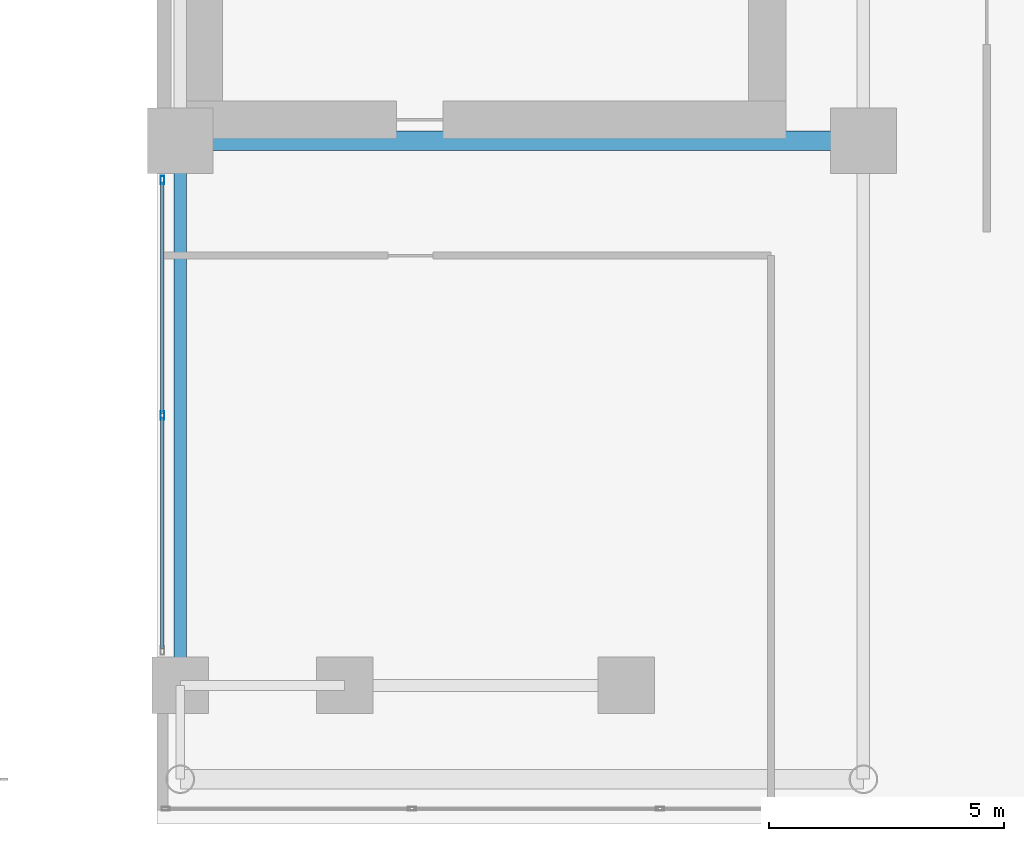
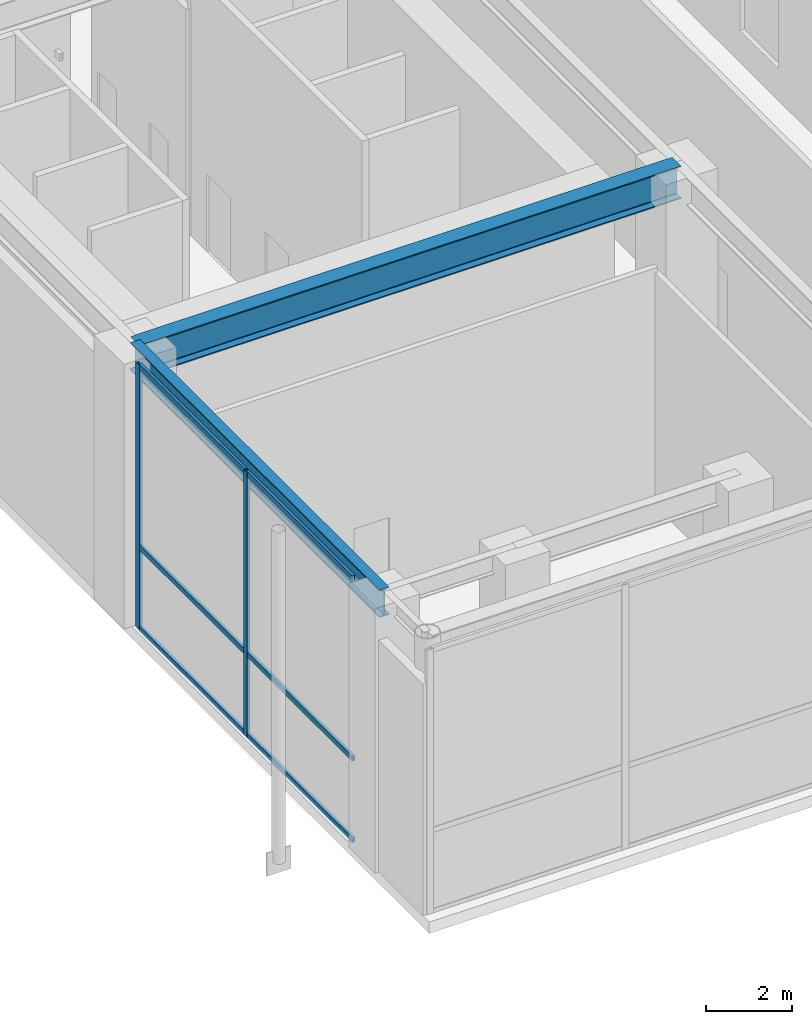
# One storey, part 9 of 29: 8 members, 2 beams, 1 element without a shape of its own.
"""IFC4 building model written with IfcOpenShell, lengths in metres."""

from ifc_helpers import new_model, si_unit, direction, frame, origin, origin_2d, place, context, subcontext, project, spatial, hollow_rectangle, i_section, extrude, source, transform, mapped, material, layer, layer_set, material_profile, profile_set, type_object, element, aggregate, save


model = new_model("IFC4")

# Units and contexts
model_context = context("Model", 3, precision=1e-05, world=origin(), true_north=direction((0.0, 1.0)))
body_context = subcontext(model_context, "Body", "Model", "MODEL_VIEW")
ifc_project = project(units=[si_unit("LENGTHUNIT", "METRE"), si_unit("AREAUNIT", "SQUARE_METRE"), si_unit("VOLUMEUNIT", "CUBIC_METRE"), si_unit("PLANEANGLEUNIT", "RADIAN"), si_unit("MASSUNIT", "GRAM", prefix="KILO")], contexts=[model_context])

# Site, building, storey
site_placement = place(None, origin())
site = spatial("IfcSite", under=ifc_project, at=site_placement, CompositionType="ELEMENT")
building_placement = place(site_placement, origin())
building = spatial("IfcBuilding", under=site, at=building_placement, Name="Ocotamira Hotel", CompositionType="ELEMENT")
storey_placement = place(building_placement, frame((0.0, 0.0, 11.39990234375)))
storey = spatial("IfcBuildingStorey", under=building, at=storey_placement, Name="L03", CompositionType="ELEMENT", Elevation=11.39990234375)

# Beams
ifc_material_1 = material(Name="Steel ASTM A992 Grade 50", Category="steel")
ifc_material_profile_1 = material_profile(ifc_material_1, i_section(OverallWidth=0.41796875, OverallDepth=0.927001953125, WebThickness=0.019287109375, FlangeThickness=0.031982421875, FilletRadius=0.02392578125, at=origin_2d()), Name="W36X231")
ifc_profile_set_1 = profile_set([ifc_material_profile_1], Name="Steel ASTM A992 Grade 50")
beam_type_1 = type_object("IfcBeamType", Name="BM-GIRD-W36X231", PredefinedType="BEAM", material=ifc_profile_set_1)
shared_shape_1 = source(origin(), body_context, "Body", "SweptSolid", [
    extrude(i_section(OverallWidth=0.41796875, OverallDepth=0.927001953125, WebThickness=0.019287109375, FlangeThickness=0.031982421875, FilletRadius=0.02392578125, at=origin_2d()), origin(), (0.0, 0.0, 1.0), 14.550048828125),
])
beam_1_placement = place(storey_placement, frame((40.5, 14.550048828125, 7.046630859375), z_axis=(1.0, 0.0, 0.0), x_axis=(0.0, 1.0, 0.0)))
element("IfcBeam", 1, at=beam_1_placement, inside=storey, type_object=beam_type_1, Name="L03 Girder Y14.55 X40.5-55.05", PredefinedType="BEAM", context=body_context, shape_type="MappedRepresentation", body=[
    mapped(shared_shape_1, transform((0.0, 0.0, 0.0), scale=1.0)),
])
ifc_material_profile_2 = material_profile(ifc_material_1, i_section(OverallWidth=0.26611328125, OverallDepth=0.779052734375, WebThickness=0.0166015625, FlangeThickness=0.030029296875, FilletRadius=0.01806640625, at=origin_2d()), Name="W30X148")
ifc_profile_set_2 = profile_set([ifc_material_profile_2], Name="Steel ASTM A992 Grade 50")
beam_type_2 = type_object("IfcBeamType", Name="BM-GIRD-W30X148", PredefinedType="BEAM", material=ifc_profile_set_2)
shared_shape_2 = source(origin(), body_context, "Body", "SweptSolid", [
    extrude(i_section(OverallWidth=0.26611328125, OverallDepth=0.779052734375, WebThickness=0.0166015625, FlangeThickness=0.030029296875, FilletRadius=0.01806640625, at=origin_2d()), origin(), (0.0, 0.0, 1.0), 11.60009765625),
])
beam_2_placement = place(storey_placement, frame((40.5, 2.949951171875, 7.12060546875), z_axis=(0.0, 1.0, 0.0), x_axis=(-1.0, 0.0, 0.0)))
element("IfcBeam", 2, at=beam_2_placement, inside=storey, type_object=beam_type_2, Name="L03 Beam X40.5 Y2.95-14.55", PredefinedType="BEAM", context=body_context, shape_type="MappedRepresentation", body=[
    mapped(shared_shape_2, transform((0.0, 0.0, 0.0), scale=1.0)),
])

# Curtain wall, members
ifc_material_2 = material(Name="Anodised pale-metal aluminium and solar glass", Category="aluminium")
ifc_layer = layer(ifc_material_2, 0.219970703125)
ifc_layer_set = layer_set([ifc_layer], Name="Anodised pale-metal aluminium and solar glass")
curtain_wall_type = type_object("IfcCurtainWallType", Name="CW-SYS1-POD", PredefinedType="NOTDEFINED", material=ifc_layer_set)
curtain_wall_placement = place(storey_placement, origin())
curtain_wall = element("IfcCurtainWall", 3, at=curtain_wall_placement, inside=storey, type_object=curtain_wall_type, Name="L03 Curtain Wall CW-1 CW-L03-AE-S", PredefinedType="NOTDEFINED")
ifc_material_3 = material(Name="Anodised pale-metal aluminium 6063-T6", Category="aluminium")
ifc_material_profile_3 = material_profile(ifc_material_3, hollow_rectangle(XDim=0.074951171875, YDim=0.14990234375, WallThickness=0.006103515625, at=origin_2d()), Name="HSS150X75X6")
ifc_profile_set_3 = profile_set([ifc_material_profile_3], Name="Anodised pale-metal aluminium 6063-T6")
member_type_1 = type_object("IfcMemberType", Name="CWT-150X75", PredefinedType="USERDEFINED", material=ifc_profile_set_3)
shared_shape_3 = source(origin(), body_context, "Body", "SweptSolid", [
    extrude(hollow_rectangle(XDim=0.074951171875, YDim=0.14990234375, WallThickness=0.006103515625, at=origin_2d()), origin(), (0.0, 0.0, 1.0), 4.929931640625),
])
member_1_placement = place(storey_placement, frame((40.1201171875, 3.72998046875, 0.03759765625), z_axis=(0.0, 1.0, 0.0), x_axis=(-1.0, 0.0, 0.0)))
member_1 = element("IfcMember", 4, at=member_1_placement, type_object=member_type_1, Name="CW-1 transom 1.1", ObjectType="TRANSOM", PredefinedType="USERDEFINED", context=body_context, shape_type="MappedRepresentation", body=[
    mapped(shared_shape_3, transform((0.0, 0.0, 0.0), scale=1.0)),
])
member_2_placement = place(storey_placement, frame((40.1201171875, 3.72998046875, 2.35009765625), z_axis=(0.0, 1.0, 0.0), x_axis=(-1.0, 0.0, 0.0)))
member_2 = element("IfcMember", 5, at=member_2_placement, type_object=member_type_1, Name="CW-1 transom 1.2", ObjectType="TRANSOM", PredefinedType="USERDEFINED", context=body_context, shape_type="MappedRepresentation", body=[
    mapped(shared_shape_3, transform((0.0, 0.0, 0.0), scale=1.0)),
])
member_3_placement = place(storey_placement, frame((40.1201171875, 3.72998046875, 7.47265625), z_axis=(0.0, 1.0, 0.0), x_axis=(-1.0, 0.0, 0.0)))
member_3 = element("IfcMember", 6, at=member_3_placement, type_object=member_type_1, Name="CW-1 transom 1.3", ObjectType="TRANSOM", PredefinedType="USERDEFINED", context=body_context, shape_type="MappedRepresentation", body=[
    mapped(shared_shape_3, transform((0.0, 0.0, 0.0), scale=1.0)),
])
member_4_placement = place(storey_placement, frame((40.1201171875, 8.739990234375, 0.03759765625), z_axis=(0.0, 1.0, 0.0), x_axis=(-1.0, 0.0, 0.0)))
member_4 = element("IfcMember", 7, at=member_4_placement, type_object=member_type_1, Name="CW-1 transom 2.1", ObjectType="TRANSOM", PredefinedType="USERDEFINED", context=body_context, shape_type="MappedRepresentation", body=[
    mapped(shared_shape_3, transform((0.0, 0.0, 0.0), scale=1.0)),
])
member_5_placement = place(storey_placement, frame((40.1201171875, 8.739990234375, 2.35009765625), z_axis=(0.0, 1.0, 0.0), x_axis=(-1.0, 0.0, 0.0)))
member_5 = element("IfcMember", 8, at=member_5_placement, type_object=member_type_1, Name="CW-1 transom 2.2", ObjectType="TRANSOM", PredefinedType="USERDEFINED", context=body_context, shape_type="MappedRepresentation", body=[
    mapped(shared_shape_3, transform((0.0, 0.0, 0.0), scale=1.0)),
])
member_6_placement = place(storey_placement, frame((40.1201171875, 8.739990234375, 7.47265625), z_axis=(0.0, 1.0, 0.0), x_axis=(-1.0, 0.0, 0.0)))
member_6 = element("IfcMember", 9, at=member_6_placement, type_object=member_type_1, Name="CW-1 transom 2.3", ObjectType="TRANSOM", PredefinedType="USERDEFINED", context=body_context, shape_type="MappedRepresentation", body=[
    mapped(shared_shape_3, transform((0.0, 0.0, 0.0), scale=1.0)),
])
ifc_material_profile_4 = material_profile(ifc_material_3, hollow_rectangle(XDim=0.080078125, YDim=0.179931640625, WallThickness=0.006103515625, at=origin_2d()), Name="HSS180X80X6")
ifc_profile_set_4 = profile_set([ifc_material_profile_4], Name="Anodised pale-metal aluminium 6063-T6")
member_type_2 = type_object("IfcMemberType", Name="CWM-180X75", PredefinedType="MULLION", material=ifc_profile_set_4)
shared_shape_4 = source(origin(), body_context, "Body", "SweptSolid", [
    extrude(hollow_rectangle(XDim=0.080078125, YDim=0.179931640625, WallThickness=0.006103515625, at=origin_2d()), origin(), (0.0, 0.0, 1.0), 7.510009765625),
])
member_7_placement = place(storey_placement, frame((40.1201171875, 8.699951171875, 0.0), z_axis=(0.0, 0.0, 1.0), x_axis=(-1.0, 0.0, 0.0)))
member_7 = element("IfcMember", 10, at=member_7_placement, type_object=member_type_2, Name="CW-1 mullion 2", PredefinedType="MULLION", context=body_context, shape_type="MappedRepresentation", body=[
    mapped(shared_shape_4, transform((0.0, 0.0, 0.0), scale=1.0)),
])
member_8_placement = place(storey_placement, frame((40.1201171875, 13.7099609375, 0.0), z_axis=(0.0, 0.0, 1.0), x_axis=(-1.0, 0.0, 0.0)))
member_8 = element("IfcMember", 11, at=member_8_placement, type_object=member_type_2, Name="CW-1 mullion 3", PredefinedType="MULLION", context=body_context, shape_type="MappedRepresentation", body=[
    mapped(shared_shape_4, transform((0.0, 0.0, 0.0), scale=1.0)),
])
aggregate(curtain_wall, [member_7, member_8, member_1, member_2, member_3, member_4, member_5, member_6])

save(model, "model.ifc")
